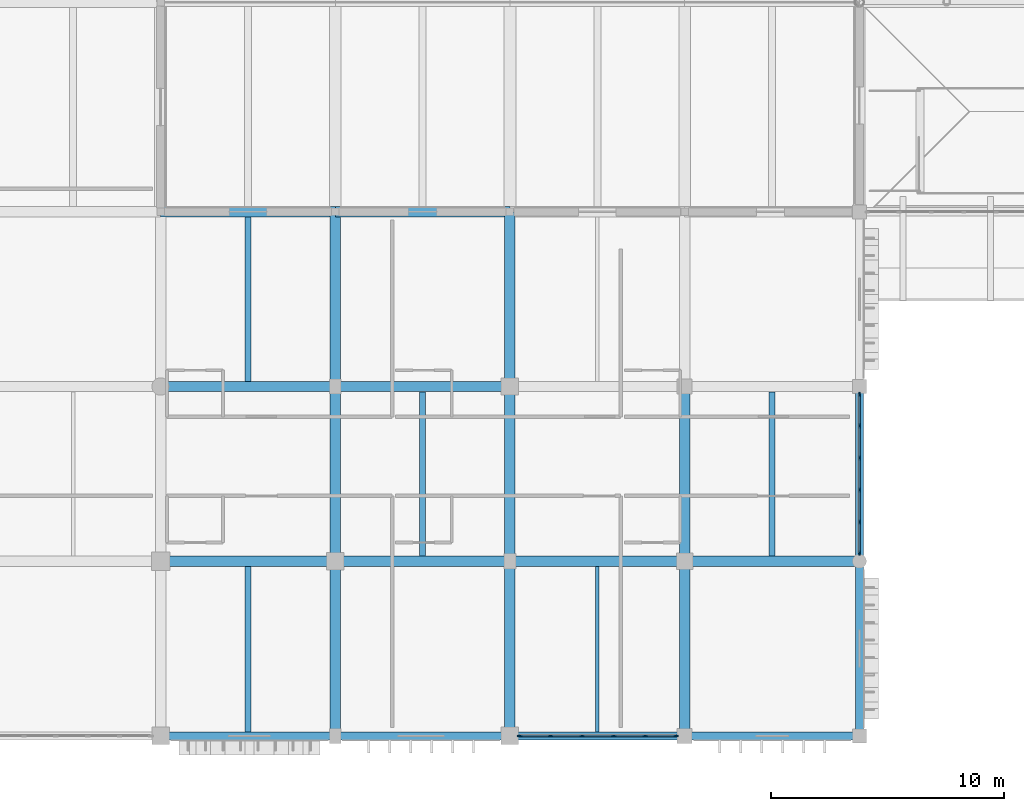
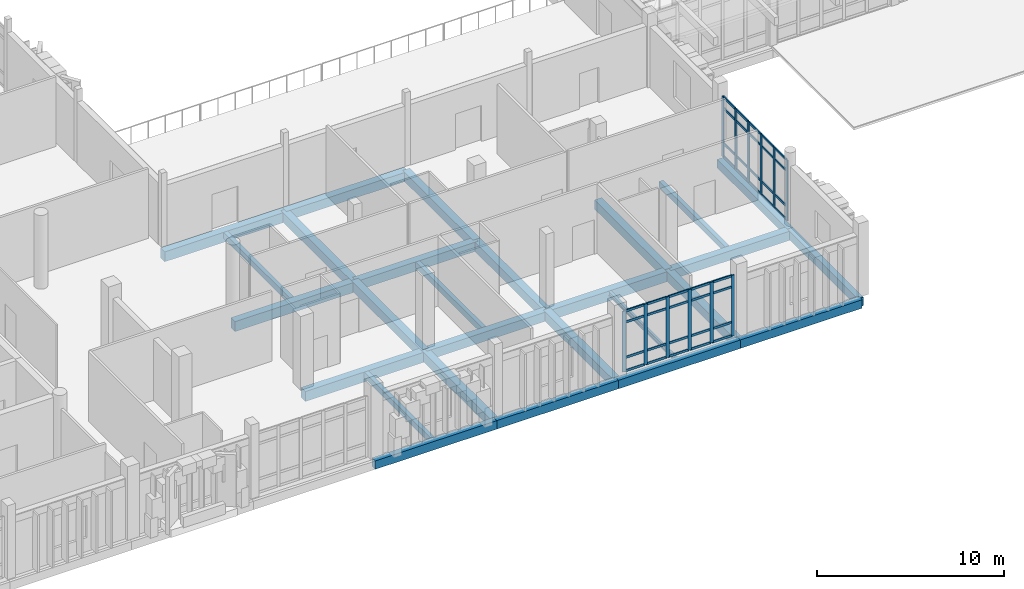
# One storey, part 19 of 131: 52 members, 27 beams, 2 elements without a shape of their own.
"""IFC4 building model written with IfcOpenShell, lengths in metres."""

from ifc_helpers import new_model, si_unit, direction, frame, origin, origin_2d, place, context, subcontext, project, spatial, rectangle, i_section, extrude, material, layer, layer_set, material_profile, profile_set, type_object, element, aggregate, save


model = new_model("IFC4")

# Units and contexts
model_context = context("Model", 3, precision=1e-05, world=origin(), true_north=direction((0.0, 1.0)))
body_context = subcontext(model_context, "Body", "Model", "MODEL_VIEW")
ifc_project = project(units=[si_unit("LENGTHUNIT", "METRE"), si_unit("AREAUNIT", "SQUARE_METRE"), si_unit("VOLUMEUNIT", "CUBIC_METRE"), si_unit("PLANEANGLEUNIT", "RADIAN"), si_unit("MASSUNIT", "GRAM", prefix="KILO")], contexts=[model_context])

# Site, building, storey
site_placement = place(None, origin())
site = spatial("IfcSite", under=ifc_project, at=site_placement, CompositionType="ELEMENT")
building_placement = place(site_placement, origin())
building = spatial("IfcBuilding", under=site, at=building_placement, Name="Dalvernix Boulevard General Hospital", CompositionType="ELEMENT")
storey_placement = place(building_placement, frame((0.0, 0.0, 9.300048828125)))
storey = spatial("IfcBuildingStorey", under=building, at=storey_placement, Name="L02", CompositionType="ELEMENT", Elevation=9.300048828125)

# Beams
ifc_material_1 = material(Name="Concrete C35/45", Category="concrete")
ifc_material_profile_1 = material_profile(ifc_material_1, rectangle(XDim=0.449951171875, YDim=0.64990234375, at=origin_2d()), Name="RCB 450x650")
ifc_profile_set_1 = profile_set([ifc_material_profile_1], Name="Concrete C35/45")
beam_type_1 = type_object("IfcBeamType", Name="BM-B-03-I", PredefinedType="BEAM", material=ifc_profile_set_1)
for number, where, z_axis, x_axis, name in (
    (1, (30.0, 7.5, -0.64501953125), (1.0, 0.0, 0.0), (0.0, 1.0, 0.0), "L02 E-W girder B:5-6"),
    (2, (45.0, 7.5, -0.64501953125), (1.0, 0.0, 0.0), (0.0, 1.0, 0.0), "L02 E-W girder B:7-8"),
    (3, (30.0, 15.0, -0.64501953125), (1.0, 0.0, 0.0), (0.0, 1.0, 0.0), "L02 E-W girder C:5-6"),
    (4, (30.0, 22.5, -0.64501953125), (1.0, 0.0, 0.0), (0.0, 1.0, 0.0), "L02 E-W girder D:5-6"),
):
    element("IfcBeam", number, at=place(storey_placement, frame(where, z_axis=z_axis, x_axis=x_axis)), inside=storey, type_object=beam_type_1, Name=name, PredefinedType="BEAM", context=body_context, shape_type="SweptSolid", body=[
        extrude(rectangle(XDim=0.449951171875, YDim=0.64990234375, at=origin_2d()), origin(), (0.0, 0.0, 1.0), 7.5),
    ])
ifc_material_profile_2 = material_profile(ifc_material_1, rectangle(XDim=0.449951171875, YDim=0.60009765625, at=origin_2d()), Name="RCB 450x600")
ifc_profile_set_2 = profile_set([ifc_material_profile_2], Name="Concrete C35/45")
beam_type_2 = type_object("IfcBeamType", Name="BM-B-04-I", PredefinedType="BEAM", material=ifc_profile_set_2)
for number, where, z_axis, x_axis, name in (
    (5, (37.5, 7.5, -0.6201171875), (1.0, 0.0, 0.0), (0.0, 1.0, 0.0), "L02 E-W girder B:6-7"),
    (6, (52.5, 7.5, -0.6201171875), (1.0, 0.0, 0.0), (0.0, 1.0, 0.0), "L02 E-W girder B:8-9"),
    (7, (37.5, 15.0, -0.6201171875), (1.0, 0.0, 0.0), (0.0, 1.0, 0.0), "L02 E-W girder C:6-7"),
    (8, (37.5, 22.5, -0.6201171875), (1.0, 0.0, 0.0), (0.0, 1.0, 0.0), "L02 E-W girder D:6-7"),
    (9, (37.5, 0.0, -0.6201171875), (0.0, 1.0, 0.0), (-1.0, 0.0, 0.0), "L02 N-S girder 6:A-B"),
    (10, (37.5, 7.5, -0.6201171875), (0.0, 1.0, 0.0), (-1.0, 0.0, 0.0), "L02 N-S girder 6:B-C"),
    (11, (37.5, 15.0, -0.6201171875), (0.0, 1.0, 0.0), (-1.0, 0.0, 0.0), "L02 N-S girder 6:C-D"),
    (12, (45.0, 0.0, -0.6201171875), (0.0, 1.0, 0.0), (-1.0, 0.0, 0.0), "L02 N-S girder 7:A-B"),
    (13, (45.0, 7.5, -0.6201171875), (0.0, 1.0, 0.0), (-1.0, 0.0, 0.0), "L02 N-S girder 7:B-C"),
    (14, (45.0, 15.0, -0.6201171875), (0.0, 1.0, 0.0), (-1.0, 0.0, 0.0), "L02 N-S girder 7:C-D"),
    (15, (52.5, 0.0, -0.6201171875), (0.0, 1.0, 0.0), (-1.0, 0.0, 0.0), "L02 N-S girder 8:A-B"),
    (16, (52.5, 7.5, -0.6201171875), (0.0, 1.0, 0.0), (-1.0, 0.0, 0.0), "L02 N-S girder 8:B-C"),
):
    element("IfcBeam", number, at=place(storey_placement, frame(where, z_axis=z_axis, x_axis=x_axis)), inside=storey, type_object=beam_type_2, Name=name, PredefinedType="BEAM", context=body_context, shape_type="SweptSolid", body=[
        extrude(rectangle(XDim=0.449951171875, YDim=0.60009765625, at=origin_2d()), origin(), (0.0, 0.0, 1.0), 7.5),
    ])
ifc_material_profile_3 = material_profile(ifc_material_1, rectangle(XDim=0.25, YDim=0.39990234375, at=origin_2d()), Name="RCB 250x400")
ifc_profile_set_3 = profile_set([ifc_material_profile_3], Name="Concrete C35/45")
beam_type_3 = type_object("IfcBeamType", Name="BM-JB-02", PredefinedType="JOIST", material=ifc_profile_set_3)
beam_1_placement = place(storey_placement, frame((33.75, 0.175048828125, -0.52001953125), z_axis=(0.0, 1.0, 0.0), x_axis=(-1.0, 0.0, 0.0)))
element("IfcBeam", 17, at=beam_1_placement, inside=storey, type_object=beam_type_3, Name="L02 secondary floor beam 5-A", PredefinedType="JOIST", context=body_context, shape_type="SweptSolid", body=[
    extrude(rectangle(XDim=0.25, YDim=0.39990234375, at=origin_2d()), origin(), (0.0, 0.0, 1.0), 7.099853515625),
])
for number, where, z_axis, x_axis, name in (
    (18, (33.75, 15.22509765625, -0.52001953125), (0.0, 1.0, 0.0), (-1.0, 0.0, 0.0), "L02 secondary floor beam 5-C"),
    (19, (41.25, 7.72509765625, -0.52001953125), (0.0, 1.0, 0.0), (-1.0, 0.0, 0.0), "L02 secondary floor beam 6-B"),
    (20, (56.25, 7.72509765625, -0.52001953125), (0.0, 1.0, 0.0), (-1.0, 0.0, 0.0), "L02 secondary floor beam 8-B"),
):
    element("IfcBeam", number, at=place(storey_placement, frame(where, z_axis=z_axis, x_axis=x_axis)), inside=storey, type_object=beam_type_3, Name=name, PredefinedType="JOIST", context=body_context, shape_type="SweptSolid", body=[
        extrude(rectangle(XDim=0.25, YDim=0.39990234375, at=origin_2d()), origin(), (0.0, 0.0, 1.0), 7.0498046875),
    ])
ifc_material_2 = material(Name="Steel S355", Category="steel")
ifc_material_profile_4 = material_profile(ifc_material_2, i_section(OverallWidth=0.14990234375, OverallDepth=0.300048828125, WebThickness=0.007080078125, FlangeThickness=0.0107421875, FilletRadius=0.014892578125, at=origin_2d()), Name="IPE 300")
ifc_profile_set_4 = profile_set([ifc_material_profile_4], Name="Steel S355")
beam_type_4 = type_object("IfcBeamType", Name="BM-JB-03", PredefinedType="JOIST", material=ifc_profile_set_4)
beam_2_placement = place(storey_placement, frame((48.75, 0.175048828125, -0.469970703125), z_axis=(0.0, 1.0, 0.0), x_axis=(-1.0, 0.0, 0.0)))
element("IfcBeam", 21, at=beam_2_placement, inside=storey, type_object=beam_type_4, Name="L02 secondary floor beam 7-A", PredefinedType="JOIST", context=body_context, shape_type="SweptSolid", body=[
    extrude(i_section(OverallWidth=0.14990234375, OverallDepth=0.300048828125, WebThickness=0.007080078125, FlangeThickness=0.0107421875, FilletRadius=0.014892578125, at=origin_2d()), origin(), (0.0, 0.0, 1.0), 7.099853515625),
])
ifc_material_profile_5 = material_profile(ifc_material_1, rectangle(XDim=0.35009765625, YDim=0.550048828125, at=origin_2d()), Name="RCB 350x550")
ifc_profile_set_5 = profile_set([ifc_material_profile_5], Name="Concrete C35/45")
beam_type_5 = type_object("IfcBeamType", Name="BM-SB-01-E", PredefinedType="SPANDREL", material=ifc_profile_set_5)
for number, where, z_axis, x_axis, name in (
    (22, (30.0, 0.0, -0.594970703125), (1.0, 0.0, 0.0), (0.0, 1.0, 0.0), "L02 E-W girder A:5-6"),
    (23, (37.5, 0.0, -0.594970703125), (1.0, 0.0, 0.0), (0.0, 1.0, 0.0), "L02 E-W girder A:6-7"),
    (24, (45.0, 0.0, -0.594970703125), (1.0, 0.0, 0.0), (0.0, 1.0, 0.0), "L02 E-W girder A:7-8"),
    (25, (52.5, 0.0, -0.594970703125), (1.0, 0.0, 0.0), (0.0, 1.0, 0.0), "L02 E-W girder A:8-9"),
    (26, (60.0, 0.0, -0.594970703125), (0.0, 1.0, 0.0), (-1.0, 0.0, 0.0), "L02 N-S girder 9:A-B"),
    (27, (60.0, 7.5, -0.594970703125), (0.0, 1.0, 0.0), (-1.0, 0.0, 0.0), "L02 N-S girder 9:B-C"),
):
    element("IfcBeam", number, at=place(storey_placement, frame(where, z_axis=z_axis, x_axis=x_axis)), inside=storey, type_object=beam_type_5, Name=name, PredefinedType="SPANDREL", context=body_context, shape_type="SweptSolid", body=[
        extrude(rectangle(XDim=0.35009765625, YDim=0.550048828125, at=origin_2d()), origin(), (0.0, 0.0, 1.0), 7.5),
    ])

# Curtain wall, members
ifc_material_3 = material(Name="Thermally broken aluminium and solar-control glass curtain wall", Category="aluminium")
ifc_layer_1 = layer(ifc_material_3, 0.199951171875)
ifc_layer_set_1 = layer_set([ifc_layer_1], Name="Thermally broken aluminium and solar-control glass curtain wall (CW-CW-C-68x40)")
curtain_wall_type_1 = type_object("IfcCurtainWallType", Name="CW-CW-C-68x40", PredefinedType="USERDEFINED", material=ifc_layer_set_1)
curtain_wall_1_placement = place(storey_placement, origin())
curtain_wall_1 = element("IfcCurtainWall", 28, at=curtain_wall_1_placement, inside=storey, type_object=curtain_wall_type_1, Name="L02 curtain wall CW-C-68x40 6-0", ObjectType="GLAZED FACADE", PredefinedType="USERDEFINED")
ifc_material_4 = material(Name="Aluminium EN AW-6060", Category="aluminium")
ifc_material_profile_6 = material_profile(ifc_material_4, rectangle(XDim=0.070068359375, YDim=0.199951171875, at=origin_2d()), Name="ALU MULL 70x200")
ifc_profile_set_6 = profile_set([ifc_material_profile_6], Name="Aluminium EN AW-6060")
member_type_1 = type_object("IfcMemberType", Name="MEM-CW-M3", PredefinedType="MULLION", material=ifc_profile_set_6)
member_1_placement = place(storey_placement, frame((52.1298828125, 0.0, 0.0), z_axis=(0.0, 0.0, 1.0), x_axis=(0.0, -1.0, 0.0)))
member_1 = element("IfcMember", 29, at=member_1_placement, type_object=member_type_1, Name="CW-C-68x40 mullion 1", PredefinedType="MULLION", context=body_context, shape_type="SweptSolid", body=[
    extrude(rectangle(XDim=0.070068359375, YDim=0.199951171875, at=origin_2d()), origin(), (0.0, 0.0, 1.0), 3.949951171875),
])
member_2_placement = place(storey_placement, frame((50.80908203125, 0.0, 0.0), z_axis=(0.0, 0.0, 1.0), x_axis=(0.0, -1.0, 0.0)))
member_2 = element("IfcMember", 30, at=member_2_placement, type_object=member_type_1, Name="CW-C-68x40 mullion 2", PredefinedType="MULLION", context=body_context, shape_type="SweptSolid", body=[
    extrude(rectangle(XDim=0.070068359375, YDim=0.199951171875, at=origin_2d()), origin(), (0.0, 0.0, 1.0), 3.949951171875),
])
member_3_placement = place(storey_placement, frame((49.452880859375, 0.0, 0.0), z_axis=(0.0, 0.0, 1.0), x_axis=(0.0, -1.0, 0.0)))
member_3 = element("IfcMember", 31, at=member_3_placement, type_object=member_type_1, Name="CW-C-68x40 mullion 3", PredefinedType="MULLION", context=body_context, shape_type="SweptSolid", body=[
    extrude(rectangle(XDim=0.070068359375, YDim=0.199951171875, at=origin_2d()), origin(), (0.0, 0.0, 1.0), 3.949951171875),
])
member_4_placement = place(storey_placement, frame((48.096923828125, 0.0, 0.0), z_axis=(0.0, 0.0, 1.0), x_axis=(0.0, -1.0, 0.0)))
member_4 = element("IfcMember", 32, at=member_4_placement, type_object=member_type_1, Name="CW-C-68x40 mullion 4", PredefinedType="MULLION", context=body_context, shape_type="SweptSolid", body=[
    extrude(rectangle(XDim=0.070068359375, YDim=0.199951171875, at=origin_2d()), origin(), (0.0, 0.0, 1.0), 3.949951171875),
])
member_5_placement = place(storey_placement, frame((46.740966796875, 0.0, 0.0), z_axis=(0.0, 0.0, 1.0), x_axis=(0.0, -1.0, 0.0)))
member_5 = element("IfcMember", 33, at=member_5_placement, type_object=member_type_1, Name="CW-C-68x40 mullion 5", PredefinedType="MULLION", context=body_context, shape_type="SweptSolid", body=[
    extrude(rectangle(XDim=0.070068359375, YDim=0.199951171875, at=origin_2d()), origin(), (0.0, 0.0, 1.0), 3.949951171875),
])
member_6_placement = place(storey_placement, frame((45.419921875, 0.0, 0.0), z_axis=(0.0, 0.0, 1.0), x_axis=(0.0, -1.0, 0.0)))
member_6 = element("IfcMember", 34, at=member_6_placement, type_object=member_type_1, Name="CW-C-68x40 mullion 6", PredefinedType="MULLION", context=body_context, shape_type="SweptSolid", body=[
    extrude(rectangle(XDim=0.070068359375, YDim=0.199951171875, at=origin_2d()), origin(), (0.0, 0.0, 1.0), 3.949951171875),
])

ifc_layer_2 = layer(ifc_material_3, 0.199951171875)
ifc_layer_set_2 = layer_set([ifc_layer_2], Name="Thermally broken aluminium and solar-control glass curtain wall (CW-CW-C-69x40)")
curtain_wall_type_2 = type_object("IfcCurtainWallType", Name="CW-CW-C-69x40", PredefinedType="USERDEFINED", material=ifc_layer_set_2)
curtain_wall_2_placement = place(storey_placement, origin())
curtain_wall_2 = element("IfcCurtainWall", 35, at=curtain_wall_2_placement, inside=storey, type_object=curtain_wall_type_2, Name="L02 curtain wall CW-C-69x40 8-1", ObjectType="GLAZED FACADE", PredefinedType="USERDEFINED")
member_7_placement = place(storey_placement, frame((60.0, 14.655029296875, 0.0), z_axis=(0.0, 0.0, 1.0), x_axis=(1.0, 0.0, 0.0)))
member_7 = element("IfcMember", 36, at=member_7_placement, type_object=member_type_1, Name="CW-C-69x40 mullion 1", PredefinedType="MULLION", context=body_context, shape_type="SweptSolid", body=[
    extrude(rectangle(XDim=0.070068359375, YDim=0.199951171875, at=origin_2d()), origin(), (0.0, 0.0, 1.0), 3.949951171875),
])
member_8_placement = place(storey_placement, frame((60.0, 13.31396484375, 0.0), z_axis=(0.0, 0.0, 1.0), x_axis=(1.0, 0.0, 0.0)))
member_8 = element("IfcMember", 37, at=member_8_placement, type_object=member_type_1, Name="CW-C-69x40 mullion 2", PredefinedType="MULLION", context=body_context, shape_type="SweptSolid", body=[
    extrude(rectangle(XDim=0.070068359375, YDim=0.199951171875, at=origin_2d()), origin(), (0.0, 0.0, 1.0), 3.949951171875),
])
member_9_placement = place(storey_placement, frame((60.0, 11.93798828125, 0.0), z_axis=(0.0, 0.0, 1.0), x_axis=(1.0, 0.0, 0.0)))
member_9 = element("IfcMember", 38, at=member_9_placement, type_object=member_type_1, Name="CW-C-69x40 mullion 3", PredefinedType="MULLION", context=body_context, shape_type="SweptSolid", body=[
    extrude(rectangle(XDim=0.070068359375, YDim=0.199951171875, at=origin_2d()), origin(), (0.0, 0.0, 1.0), 3.949951171875),
])
member_10_placement = place(storey_placement, frame((60.0, 10.56201171875, 0.0), z_axis=(0.0, 0.0, 1.0), x_axis=(1.0, 0.0, 0.0)))
member_10 = element("IfcMember", 39, at=member_10_placement, type_object=member_type_1, Name="CW-C-69x40 mullion 4", PredefinedType="MULLION", context=body_context, shape_type="SweptSolid", body=[
    extrude(rectangle(XDim=0.070068359375, YDim=0.199951171875, at=origin_2d()), origin(), (0.0, 0.0, 1.0), 3.949951171875),
])
member_11_placement = place(storey_placement, frame((60.0, 9.18603515625, 0.0), z_axis=(0.0, 0.0, 1.0), x_axis=(1.0, 0.0, 0.0)))
member_11 = element("IfcMember", 40, at=member_11_placement, type_object=member_type_1, Name="CW-C-69x40 mullion 5", PredefinedType="MULLION", context=body_context, shape_type="SweptSolid", body=[
    extrude(rectangle(XDim=0.070068359375, YDim=0.199951171875, at=origin_2d()), origin(), (0.0, 0.0, 1.0), 3.949951171875),
])
member_12_placement = place(storey_placement, frame((60.0, 7.844970703125, 0.0), z_axis=(0.0, 0.0, 1.0), x_axis=(1.0, 0.0, 0.0)))
member_12 = element("IfcMember", 41, at=member_12_placement, type_object=member_type_1, Name="CW-C-69x40 mullion 6", PredefinedType="MULLION", context=body_context, shape_type="SweptSolid", body=[
    extrude(rectangle(XDim=0.070068359375, YDim=0.199951171875, at=origin_2d()), origin(), (0.0, 0.0, 1.0), 3.949951171875),
])

# Member
ifc_material_profile_7 = material_profile(ifc_material_4, rectangle(XDim=0.070068359375, YDim=0.14990234375, at=origin_2d()), Name="ALU TRAN 70x150")
ifc_profile_set_7 = profile_set([ifc_material_profile_7], Name="Aluminium EN AW-6060")
member_type_2 = type_object("IfcMemberType", Name="MEM-CW-T3", PredefinedType="USERDEFINED", material=ifc_profile_set_7)
member_13_placement = place(storey_placement, frame((52.094970703125, 0.0, 0.034912109375), z_axis=(-1.0, 0.0, 0.0), x_axis=(0.0, -1.0, 0.0)))
member_13 = element("IfcMember", 42, at=member_13_placement, type_object=member_type_2, Name="CW-C-68x40 transom 1.1", ObjectType="TRANSOM", PredefinedType="USERDEFINED", context=body_context, shape_type="SweptSolid", body=[
    extrude(rectangle(XDim=0.070068359375, YDim=0.14990234375, at=origin_2d()), origin(), (0.0, 0.0, 1.0), 1.2509765625),
])

member_14_placement = place(storey_placement, frame((52.094970703125, 0.0, 0.89990234375), z_axis=(-1.0, 0.0, 0.0), x_axis=(0.0, -1.0, 0.0)))
member_14 = element("IfcMember", 43, at=member_14_placement, type_object=member_type_2, Name="CW-C-68x40 transom 1.2", ObjectType="TRANSOM", PredefinedType="USERDEFINED", context=body_context, shape_type="SweptSolid", body=[
    extrude(rectangle(XDim=0.070068359375, YDim=0.14990234375, at=origin_2d()), origin(), (0.0, 0.0, 1.0), 1.2509765625),
])

member_15_placement = place(storey_placement, frame((52.094970703125, 0.0, 3.199951171875), z_axis=(-1.0, 0.0, 0.0), x_axis=(0.0, -1.0, 0.0)))
member_15 = element("IfcMember", 44, at=member_15_placement, type_object=member_type_2, Name="CW-C-68x40 transom 1.3", ObjectType="TRANSOM", PredefinedType="USERDEFINED", context=body_context, shape_type="SweptSolid", body=[
    extrude(rectangle(XDim=0.070068359375, YDim=0.14990234375, at=origin_2d()), origin(), (0.0, 0.0, 1.0), 1.2509765625),
])

member_16_placement = place(storey_placement, frame((52.094970703125, 0.0, 3.9150390625), z_axis=(-1.0, 0.0, 0.0), x_axis=(0.0, -1.0, 0.0)))
member_16 = element("IfcMember", 45, at=member_16_placement, type_object=member_type_2, Name="CW-C-68x40 transom 1.4", ObjectType="TRANSOM", PredefinedType="USERDEFINED", context=body_context, shape_type="SweptSolid", body=[
    extrude(rectangle(XDim=0.070068359375, YDim=0.14990234375, at=origin_2d()), origin(), (0.0, 0.0, 1.0), 1.2509765625),
])

member_17_placement = place(storey_placement, frame((50.77392578125, 0.0, 0.034912109375), z_axis=(-1.0, 0.0, 0.0), x_axis=(0.0, -1.0, 0.0)))
member_17 = element("IfcMember", 46, at=member_17_placement, type_object=member_type_2, Name="CW-C-68x40 transom 2.1", ObjectType="TRANSOM", PredefinedType="USERDEFINED", context=body_context, shape_type="SweptSolid", body=[
    extrude(rectangle(XDim=0.070068359375, YDim=0.14990234375, at=origin_2d()), origin(), (0.0, 0.0, 1.0), 1.285888671875),
])

member_18_placement = place(storey_placement, frame((50.77392578125, 0.0, 0.89990234375), z_axis=(-1.0, 0.0, 0.0), x_axis=(0.0, -1.0, 0.0)))
member_18 = element("IfcMember", 47, at=member_18_placement, type_object=member_type_2, Name="CW-C-68x40 transom 2.2", ObjectType="TRANSOM", PredefinedType="USERDEFINED", context=body_context, shape_type="SweptSolid", body=[
    extrude(rectangle(XDim=0.070068359375, YDim=0.14990234375, at=origin_2d()), origin(), (0.0, 0.0, 1.0), 1.285888671875),
])

member_19_placement = place(storey_placement, frame((50.77392578125, 0.0, 3.199951171875), z_axis=(-1.0, 0.0, 0.0), x_axis=(0.0, -1.0, 0.0)))
member_19 = element("IfcMember", 48, at=member_19_placement, type_object=member_type_2, Name="CW-C-68x40 transom 2.3", ObjectType="TRANSOM", PredefinedType="USERDEFINED", context=body_context, shape_type="SweptSolid", body=[
    extrude(rectangle(XDim=0.070068359375, YDim=0.14990234375, at=origin_2d()), origin(), (0.0, 0.0, 1.0), 1.285888671875),
])

member_20_placement = place(storey_placement, frame((50.77392578125, 0.0, 3.9150390625), z_axis=(-1.0, 0.0, 0.0), x_axis=(0.0, -1.0, 0.0)))
member_20 = element("IfcMember", 49, at=member_20_placement, type_object=member_type_2, Name="CW-C-68x40 transom 2.4", ObjectType="TRANSOM", PredefinedType="USERDEFINED", context=body_context, shape_type="SweptSolid", body=[
    extrude(rectangle(XDim=0.070068359375, YDim=0.14990234375, at=origin_2d()), origin(), (0.0, 0.0, 1.0), 1.285888671875),
])

member_21_placement = place(storey_placement, frame((49.41796875, 0.0, 0.034912109375), z_axis=(-1.0, 0.0, 0.0), x_axis=(0.0, -1.0, 0.0)))
member_21 = element("IfcMember", 50, at=member_21_placement, type_object=member_type_2, Name="CW-C-68x40 transom 3.1", ObjectType="TRANSOM", PredefinedType="USERDEFINED", context=body_context, shape_type="SweptSolid", body=[
    extrude(rectangle(XDim=0.070068359375, YDim=0.14990234375, at=origin_2d()), origin(), (0.0, 0.0, 1.0), 1.285888671875),
])

member_22_placement = place(storey_placement, frame((49.41796875, 0.0, 0.89990234375), z_axis=(-1.0, 0.0, 0.0), x_axis=(0.0, -1.0, 0.0)))
member_22 = element("IfcMember", 51, at=member_22_placement, type_object=member_type_2, Name="CW-C-68x40 transom 3.2", ObjectType="TRANSOM", PredefinedType="USERDEFINED", context=body_context, shape_type="SweptSolid", body=[
    extrude(rectangle(XDim=0.070068359375, YDim=0.14990234375, at=origin_2d()), origin(), (0.0, 0.0, 1.0), 1.285888671875),
])

member_23_placement = place(storey_placement, frame((49.41796875, 0.0, 3.199951171875), z_axis=(-1.0, 0.0, 0.0), x_axis=(0.0, -1.0, 0.0)))
member_23 = element("IfcMember", 52, at=member_23_placement, type_object=member_type_2, Name="CW-C-68x40 transom 3.3", ObjectType="TRANSOM", PredefinedType="USERDEFINED", context=body_context, shape_type="SweptSolid", body=[
    extrude(rectangle(XDim=0.070068359375, YDim=0.14990234375, at=origin_2d()), origin(), (0.0, 0.0, 1.0), 1.285888671875),
])

member_24_placement = place(storey_placement, frame((49.41796875, 0.0, 3.9150390625), z_axis=(-1.0, 0.0, 0.0), x_axis=(0.0, -1.0, 0.0)))
member_24 = element("IfcMember", 53, at=member_24_placement, type_object=member_type_2, Name="CW-C-68x40 transom 3.4", ObjectType="TRANSOM", PredefinedType="USERDEFINED", context=body_context, shape_type="SweptSolid", body=[
    extrude(rectangle(XDim=0.070068359375, YDim=0.14990234375, at=origin_2d()), origin(), (0.0, 0.0, 1.0), 1.285888671875),
])

member_25_placement = place(storey_placement, frame((48.06201171875, 0.0, 0.034912109375), z_axis=(-1.0, 0.0, 0.0), x_axis=(0.0, -1.0, 0.0)))
member_25 = element("IfcMember", 54, at=member_25_placement, type_object=member_type_2, Name="CW-C-68x40 transom 4.1", ObjectType="TRANSOM", PredefinedType="USERDEFINED", context=body_context, shape_type="SweptSolid", body=[
    extrude(rectangle(XDim=0.070068359375, YDim=0.14990234375, at=origin_2d()), origin(), (0.0, 0.0, 1.0), 1.2861328125),
])

member_26_placement = place(storey_placement, frame((48.06201171875, 0.0, 0.89990234375), z_axis=(-1.0, 0.0, 0.0), x_axis=(0.0, -1.0, 0.0)))
member_26 = element("IfcMember", 55, at=member_26_placement, type_object=member_type_2, Name="CW-C-68x40 transom 4.2", ObjectType="TRANSOM", PredefinedType="USERDEFINED", context=body_context, shape_type="SweptSolid", body=[
    extrude(rectangle(XDim=0.070068359375, YDim=0.14990234375, at=origin_2d()), origin(), (0.0, 0.0, 1.0), 1.2861328125),
])

member_27_placement = place(storey_placement, frame((48.06201171875, 0.0, 3.199951171875), z_axis=(-1.0, 0.0, 0.0), x_axis=(0.0, -1.0, 0.0)))
member_27 = element("IfcMember", 56, at=member_27_placement, type_object=member_type_2, Name="CW-C-68x40 transom 4.3", ObjectType="TRANSOM", PredefinedType="USERDEFINED", context=body_context, shape_type="SweptSolid", body=[
    extrude(rectangle(XDim=0.070068359375, YDim=0.14990234375, at=origin_2d()), origin(), (0.0, 0.0, 1.0), 1.2861328125),
])

member_28_placement = place(storey_placement, frame((48.06201171875, 0.0, 3.9150390625), z_axis=(-1.0, 0.0, 0.0), x_axis=(0.0, -1.0, 0.0)))
member_28 = element("IfcMember", 57, at=member_28_placement, type_object=member_type_2, Name="CW-C-68x40 transom 4.4", ObjectType="TRANSOM", PredefinedType="USERDEFINED", context=body_context, shape_type="SweptSolid", body=[
    extrude(rectangle(XDim=0.070068359375, YDim=0.14990234375, at=origin_2d()), origin(), (0.0, 0.0, 1.0), 1.2861328125),
])

member_29_placement = place(storey_placement, frame((46.7060546875, 0.0, 0.034912109375), z_axis=(-1.0, 0.0, 0.0), x_axis=(0.0, -1.0, 0.0)))
member_29 = element("IfcMember", 58, at=member_29_placement, type_object=member_type_2, Name="CW-C-68x40 transom 5.1", ObjectType="TRANSOM", PredefinedType="USERDEFINED", context=body_context, shape_type="SweptSolid", body=[
    extrude(rectangle(XDim=0.070068359375, YDim=0.14990234375, at=origin_2d()), origin(), (0.0, 0.0, 1.0), 1.2509765625),
])

member_30_placement = place(storey_placement, frame((46.7060546875, 0.0, 0.89990234375), z_axis=(-1.0, 0.0, 0.0), x_axis=(0.0, -1.0, 0.0)))
member_30 = element("IfcMember", 59, at=member_30_placement, type_object=member_type_2, Name="CW-C-68x40 transom 5.2", ObjectType="TRANSOM", PredefinedType="USERDEFINED", context=body_context, shape_type="SweptSolid", body=[
    extrude(rectangle(XDim=0.070068359375, YDim=0.14990234375, at=origin_2d()), origin(), (0.0, 0.0, 1.0), 1.2509765625),
])

member_31_placement = place(storey_placement, frame((46.7060546875, 0.0, 3.199951171875), z_axis=(-1.0, 0.0, 0.0), x_axis=(0.0, -1.0, 0.0)))
member_31 = element("IfcMember", 60, at=member_31_placement, type_object=member_type_2, Name="CW-C-68x40 transom 5.3", ObjectType="TRANSOM", PredefinedType="USERDEFINED", context=body_context, shape_type="SweptSolid", body=[
    extrude(rectangle(XDim=0.070068359375, YDim=0.14990234375, at=origin_2d()), origin(), (0.0, 0.0, 1.0), 1.2509765625),
])

member_32_placement = place(storey_placement, frame((46.7060546875, 0.0, 3.9150390625), z_axis=(-1.0, 0.0, 0.0), x_axis=(0.0, -1.0, 0.0)))
member_32 = element("IfcMember", 61, at=member_32_placement, type_object=member_type_2, Name="CW-C-68x40 transom 5.4", ObjectType="TRANSOM", PredefinedType="USERDEFINED", context=body_context, shape_type="SweptSolid", body=[
    extrude(rectangle(XDim=0.070068359375, YDim=0.14990234375, at=origin_2d()), origin(), (0.0, 0.0, 1.0), 1.2509765625),
])

aggregate(curtain_wall_1, [member_1, member_2, member_3, member_4, member_5, member_6, member_13, member_14, member_15, member_16, member_17, member_18, member_19, member_20, member_21, member_22, member_23, member_24, member_25, member_26, member_27, member_28, member_29, member_30, member_31, member_32])

member_33_placement = place(storey_placement, frame((60.0, 14.6201171875, 0.034912109375), z_axis=(0.0, -1.0, 0.0), x_axis=(1.0, 0.0, 0.0)))
member_33 = element("IfcMember", 62, at=member_33_placement, type_object=member_type_2, Name="CW-C-69x40 transom 1.1", ObjectType="TRANSOM", PredefinedType="USERDEFINED", context=body_context, shape_type="SweptSolid", body=[
    extrude(rectangle(XDim=0.070068359375, YDim=0.14990234375, at=origin_2d()), origin(), (0.0, 0.0, 1.0), 1.27099609375),
])

member_34_placement = place(storey_placement, frame((60.0, 14.6201171875, 0.89990234375), z_axis=(0.0, -1.0, 0.0), x_axis=(1.0, 0.0, 0.0)))
member_34 = element("IfcMember", 63, at=member_34_placement, type_object=member_type_2, Name="CW-C-69x40 transom 1.2", ObjectType="TRANSOM", PredefinedType="USERDEFINED", context=body_context, shape_type="SweptSolid", body=[
    extrude(rectangle(XDim=0.070068359375, YDim=0.14990234375, at=origin_2d()), origin(), (0.0, 0.0, 1.0), 1.27099609375),
])

member_35_placement = place(storey_placement, frame((60.0, 14.6201171875, 3.199951171875), z_axis=(0.0, -1.0, 0.0), x_axis=(1.0, 0.0, 0.0)))
member_35 = element("IfcMember", 64, at=member_35_placement, type_object=member_type_2, Name="CW-C-69x40 transom 1.3", ObjectType="TRANSOM", PredefinedType="USERDEFINED", context=body_context, shape_type="SweptSolid", body=[
    extrude(rectangle(XDim=0.070068359375, YDim=0.14990234375, at=origin_2d()), origin(), (0.0, 0.0, 1.0), 1.27099609375),
])

member_36_placement = place(storey_placement, frame((60.0, 14.6201171875, 3.9150390625), z_axis=(0.0, -1.0, 0.0), x_axis=(1.0, 0.0, 0.0)))
member_36 = element("IfcMember", 65, at=member_36_placement, type_object=member_type_2, Name="CW-C-69x40 transom 1.4", ObjectType="TRANSOM", PredefinedType="USERDEFINED", context=body_context, shape_type="SweptSolid", body=[
    extrude(rectangle(XDim=0.070068359375, YDim=0.14990234375, at=origin_2d()), origin(), (0.0, 0.0, 1.0), 1.27099609375),
])

member_37_placement = place(storey_placement, frame((60.0, 13.279052734375, 0.034912109375), z_axis=(0.0, -1.0, 0.0), x_axis=(1.0, 0.0, 0.0)))
member_37 = element("IfcMember", 66, at=member_37_placement, type_object=member_type_2, Name="CW-C-69x40 transom 2.1", ObjectType="TRANSOM", PredefinedType="USERDEFINED", context=body_context, shape_type="SweptSolid", body=[
    extrude(rectangle(XDim=0.070068359375, YDim=0.14990234375, at=origin_2d()), origin(), (0.0, 0.0, 1.0), 1.30615234375),
])

member_38_placement = place(storey_placement, frame((60.0, 13.279052734375, 0.89990234375), z_axis=(0.0, -1.0, 0.0), x_axis=(1.0, 0.0, 0.0)))
member_38 = element("IfcMember", 67, at=member_38_placement, type_object=member_type_2, Name="CW-C-69x40 transom 2.2", ObjectType="TRANSOM", PredefinedType="USERDEFINED", context=body_context, shape_type="SweptSolid", body=[
    extrude(rectangle(XDim=0.070068359375, YDim=0.14990234375, at=origin_2d()), origin(), (0.0, 0.0, 1.0), 1.30615234375),
])

member_39_placement = place(storey_placement, frame((60.0, 13.279052734375, 3.199951171875), z_axis=(0.0, -1.0, 0.0), x_axis=(1.0, 0.0, 0.0)))
member_39 = element("IfcMember", 68, at=member_39_placement, type_object=member_type_2, Name="CW-C-69x40 transom 2.3", ObjectType="TRANSOM", PredefinedType="USERDEFINED", context=body_context, shape_type="SweptSolid", body=[
    extrude(rectangle(XDim=0.070068359375, YDim=0.14990234375, at=origin_2d()), origin(), (0.0, 0.0, 1.0), 1.30615234375),
])

member_40_placement = place(storey_placement, frame((60.0, 13.279052734375, 3.9150390625), z_axis=(0.0, -1.0, 0.0), x_axis=(1.0, 0.0, 0.0)))
member_40 = element("IfcMember", 69, at=member_40_placement, type_object=member_type_2, Name="CW-C-69x40 transom 2.4", ObjectType="TRANSOM", PredefinedType="USERDEFINED", context=body_context, shape_type="SweptSolid", body=[
    extrude(rectangle(XDim=0.070068359375, YDim=0.14990234375, at=origin_2d()), origin(), (0.0, 0.0, 1.0), 1.30615234375),
])

member_41_placement = place(storey_placement, frame((60.0, 11.903076171875, 0.034912109375), z_axis=(0.0, -1.0, 0.0), x_axis=(1.0, 0.0, 0.0)))
member_41 = element("IfcMember", 70, at=member_41_placement, type_object=member_type_2, Name="CW-C-69x40 transom 3.1", ObjectType="TRANSOM", PredefinedType="USERDEFINED", context=body_context, shape_type="SweptSolid", body=[
    extrude(rectangle(XDim=0.070068359375, YDim=0.14990234375, at=origin_2d()), origin(), (0.0, 0.0, 1.0), 1.30615234375),
])

member_42_placement = place(storey_placement, frame((60.0, 11.903076171875, 0.89990234375), z_axis=(0.0, -1.0, 0.0), x_axis=(1.0, 0.0, 0.0)))
member_42 = element("IfcMember", 71, at=member_42_placement, type_object=member_type_2, Name="CW-C-69x40 transom 3.2", ObjectType="TRANSOM", PredefinedType="USERDEFINED", context=body_context, shape_type="SweptSolid", body=[
    extrude(rectangle(XDim=0.070068359375, YDim=0.14990234375, at=origin_2d()), origin(), (0.0, 0.0, 1.0), 1.30615234375),
])

member_43_placement = place(storey_placement, frame((60.0, 11.903076171875, 3.199951171875), z_axis=(0.0, -1.0, 0.0), x_axis=(1.0, 0.0, 0.0)))
member_43 = element("IfcMember", 72, at=member_43_placement, type_object=member_type_2, Name="CW-C-69x40 transom 3.3", ObjectType="TRANSOM", PredefinedType="USERDEFINED", context=body_context, shape_type="SweptSolid", body=[
    extrude(rectangle(XDim=0.070068359375, YDim=0.14990234375, at=origin_2d()), origin(), (0.0, 0.0, 1.0), 1.30615234375),
])

member_44_placement = place(storey_placement, frame((60.0, 11.903076171875, 3.9150390625), z_axis=(0.0, -1.0, 0.0), x_axis=(1.0, 0.0, 0.0)))
member_44 = element("IfcMember", 73, at=member_44_placement, type_object=member_type_2, Name="CW-C-69x40 transom 3.4", ObjectType="TRANSOM", PredefinedType="USERDEFINED", context=body_context, shape_type="SweptSolid", body=[
    extrude(rectangle(XDim=0.070068359375, YDim=0.14990234375, at=origin_2d()), origin(), (0.0, 0.0, 1.0), 1.30615234375),
])

member_45_placement = place(storey_placement, frame((60.0, 10.527099609375, 0.034912109375), z_axis=(0.0, -1.0, 0.0), x_axis=(1.0, 0.0, 0.0)))
member_45 = element("IfcMember", 74, at=member_45_placement, type_object=member_type_2, Name="CW-C-69x40 transom 4.1", ObjectType="TRANSOM", PredefinedType="USERDEFINED", context=body_context, shape_type="SweptSolid", body=[
    extrude(rectangle(XDim=0.070068359375, YDim=0.14990234375, at=origin_2d()), origin(), (0.0, 0.0, 1.0), 1.30615234375),
])

member_46_placement = place(storey_placement, frame((60.0, 10.527099609375, 0.89990234375), z_axis=(0.0, -1.0, 0.0), x_axis=(1.0, 0.0, 0.0)))
member_46 = element("IfcMember", 75, at=member_46_placement, type_object=member_type_2, Name="CW-C-69x40 transom 4.2", ObjectType="TRANSOM", PredefinedType="USERDEFINED", context=body_context, shape_type="SweptSolid", body=[
    extrude(rectangle(XDim=0.070068359375, YDim=0.14990234375, at=origin_2d()), origin(), (0.0, 0.0, 1.0), 1.30615234375),
])

member_47_placement = place(storey_placement, frame((60.0, 10.527099609375, 3.199951171875), z_axis=(0.0, -1.0, 0.0), x_axis=(1.0, 0.0, 0.0)))
member_47 = element("IfcMember", 76, at=member_47_placement, type_object=member_type_2, Name="CW-C-69x40 transom 4.3", ObjectType="TRANSOM", PredefinedType="USERDEFINED", context=body_context, shape_type="SweptSolid", body=[
    extrude(rectangle(XDim=0.070068359375, YDim=0.14990234375, at=origin_2d()), origin(), (0.0, 0.0, 1.0), 1.30615234375),
])

member_48_placement = place(storey_placement, frame((60.0, 10.527099609375, 3.9150390625), z_axis=(0.0, -1.0, 0.0), x_axis=(1.0, 0.0, 0.0)))
member_48 = element("IfcMember", 77, at=member_48_placement, type_object=member_type_2, Name="CW-C-69x40 transom 4.4", ObjectType="TRANSOM", PredefinedType="USERDEFINED", context=body_context, shape_type="SweptSolid", body=[
    extrude(rectangle(XDim=0.070068359375, YDim=0.14990234375, at=origin_2d()), origin(), (0.0, 0.0, 1.0), 1.30615234375),
])

member_49_placement = place(storey_placement, frame((60.0, 9.15087890625, 0.034912109375), z_axis=(0.0, -1.0, 0.0), x_axis=(1.0, 0.0, 0.0)))
member_49 = element("IfcMember", 78, at=member_49_placement, type_object=member_type_2, Name="CW-C-69x40 transom 5.1", ObjectType="TRANSOM", PredefinedType="USERDEFINED", context=body_context, shape_type="SweptSolid", body=[
    extrude(rectangle(XDim=0.070068359375, YDim=0.14990234375, at=origin_2d()), origin(), (0.0, 0.0, 1.0), 1.27099609375),
])

member_50_placement = place(storey_placement, frame((60.0, 9.15087890625, 0.89990234375), z_axis=(0.0, -1.0, 0.0), x_axis=(1.0, 0.0, 0.0)))
member_50 = element("IfcMember", 79, at=member_50_placement, type_object=member_type_2, Name="CW-C-69x40 transom 5.2", ObjectType="TRANSOM", PredefinedType="USERDEFINED", context=body_context, shape_type="SweptSolid", body=[
    extrude(rectangle(XDim=0.070068359375, YDim=0.14990234375, at=origin_2d()), origin(), (0.0, 0.0, 1.0), 1.27099609375),
])

member_51_placement = place(storey_placement, frame((60.0, 9.15087890625, 3.199951171875), z_axis=(0.0, -1.0, 0.0), x_axis=(1.0, 0.0, 0.0)))
member_51 = element("IfcMember", 80, at=member_51_placement, type_object=member_type_2, Name="CW-C-69x40 transom 5.3", ObjectType="TRANSOM", PredefinedType="USERDEFINED", context=body_context, shape_type="SweptSolid", body=[
    extrude(rectangle(XDim=0.070068359375, YDim=0.14990234375, at=origin_2d()), origin(), (0.0, 0.0, 1.0), 1.27099609375),
])

member_52_placement = place(storey_placement, frame((60.0, 9.15087890625, 3.9150390625), z_axis=(0.0, -1.0, 0.0), x_axis=(1.0, 0.0, 0.0)))
member_52 = element("IfcMember", 81, at=member_52_placement, type_object=member_type_2, Name="CW-C-69x40 transom 5.4", ObjectType="TRANSOM", PredefinedType="USERDEFINED", context=body_context, shape_type="SweptSolid", body=[
    extrude(rectangle(XDim=0.070068359375, YDim=0.14990234375, at=origin_2d()), origin(), (0.0, 0.0, 1.0), 1.27099609375),
])

aggregate(curtain_wall_2, [member_7, member_8, member_9, member_10, member_11, member_12, member_33, member_34, member_35, member_36, member_37, member_38, member_39, member_40, member_41, member_42, member_43, member_44, member_45, member_46, member_47, member_48, member_49, member_50, member_51, member_52])

save(model, "model.ifc")
